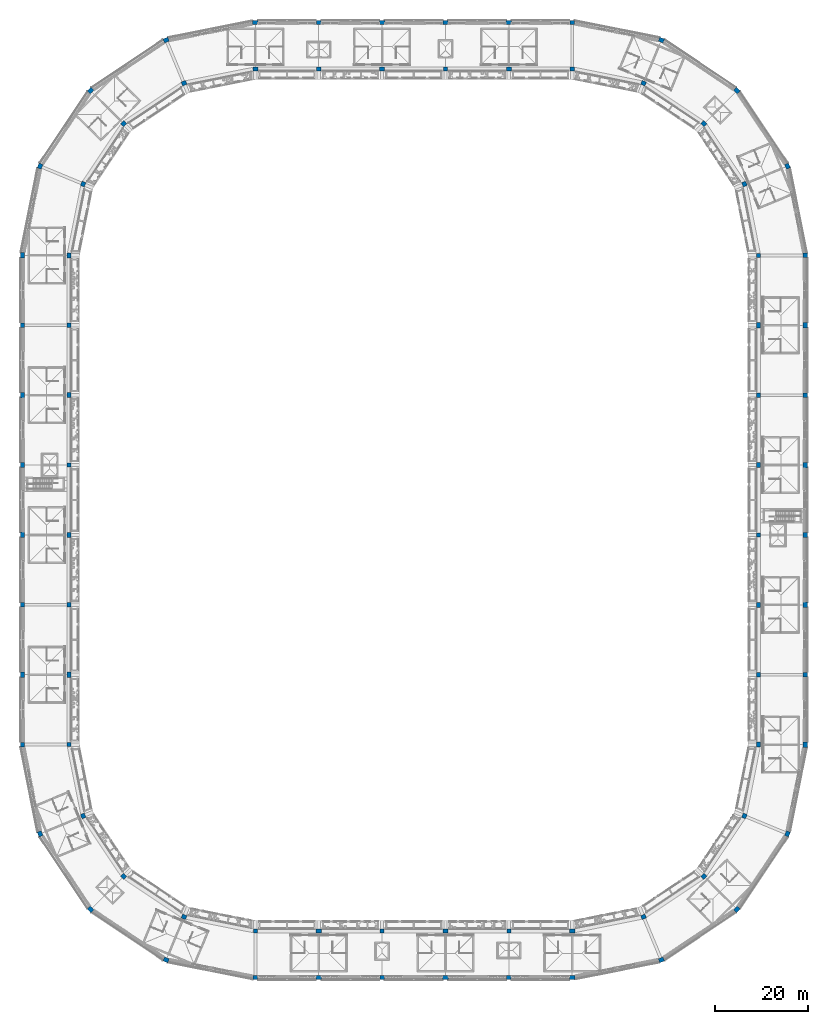
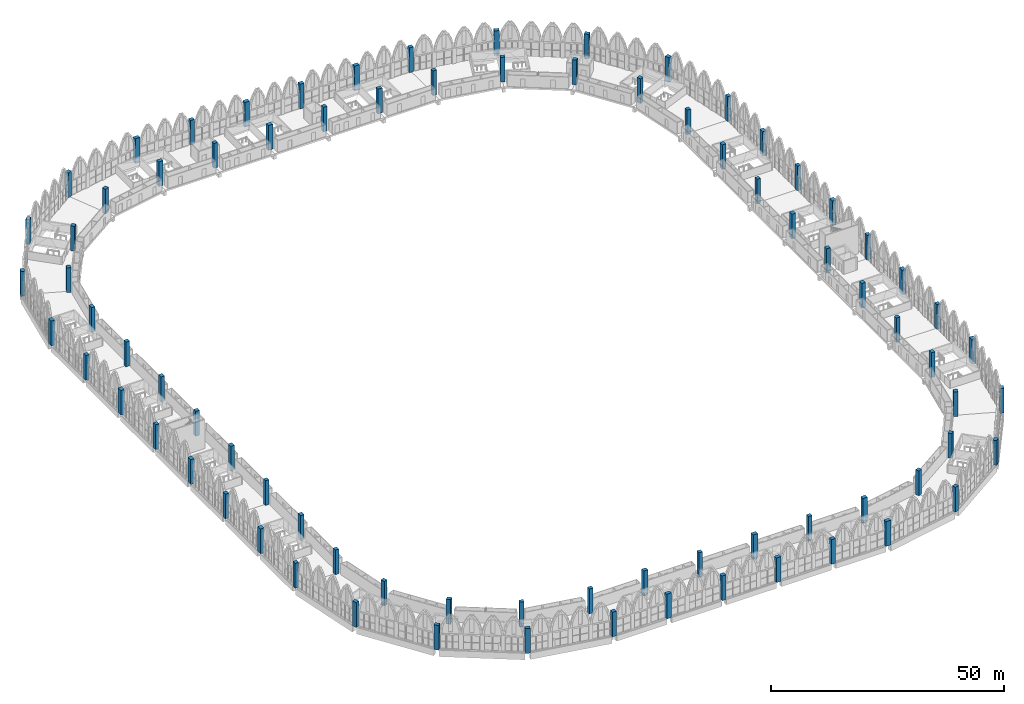
# One storey, part 1 of 130: 80 columns.
"""IFC4 building model written with IfcOpenShell, lengths in metres."""

from ifc_helpers import new_model, si_unit, direction, frame, origin, origin_2d, place, context, subcontext, project, spatial, rectangle, extrude, material, material_profile, profile_set, type_object, element, save


model = new_model("IFC4")

# Units and contexts
model_context = context("Model", 3, precision=1e-05, world=origin(), true_north=direction((0.0, 1.0)))
body_context = subcontext(model_context, "Body", "Model", "MODEL_VIEW")
ifc_project = project(units=[si_unit("LENGTHUNIT", "METRE"), si_unit("AREAUNIT", "SQUARE_METRE"), si_unit("VOLUMEUNIT", "CUBIC_METRE"), si_unit("PLANEANGLEUNIT", "RADIAN"), si_unit("MASSUNIT", "GRAM", prefix="KILO")], contexts=[model_context])

# Site, building, storey
site_placement = place(None, origin())
site = spatial("IfcSite", under=ifc_project, at=site_placement, CompositionType="ELEMENT")
building_placement = place(site_placement, origin())
building = spatial("IfcBuilding", under=site, at=building_placement, Name="Ogive Plaza Stadium", CompositionType="ELEMENT")
storey_placement = place(building_placement, frame((0.0, 0.0, 22.5)))
storey = spatial("IfcBuildingStorey", under=building, at=storey_placement, Name="L05", CompositionType="ELEMENT", Elevation=22.5)

# Columns
ifc_material_1 = material(Name="Concrete C40/50", Category="concrete")
ifc_material_profile_1 = material_profile(ifc_material_1, rectangle(XDim=1.10009765625, YDim=0.89990234375, at=origin_2d()), Name="RC 1100x900")
ifc_profile_set_1 = profile_set([ifc_material_profile_1], Name="Concrete C40/50")
column_type_1 = type_object("IfcColumnType", Name="RC column F4 core 1100x900", PredefinedType="COLUMN", material=ifc_profile_set_1)
for number, where, z_axis, x_axis, name in (
    (1, (74.0, 37.5, 0.0), (0.0, 0.0, 1.0), (0.0, 1.0, 0.0), "Column F4 R02 L05"),
    (2, (74.0, 7.5, 0.0), (0.0, 0.0, 1.0), (0.0, 1.0, 0.0), "Column F4 R04 L05"),
    (3, (74.0, -22.5, 0.0), (0.0, 0.0, 1.0), (0.0, 1.0, 0.0), "Column F4 R06 L05"),
    (4, (74.0, -52.5, 0.0), (0.0, 0.0, 1.0), (0.0, 1.0, 0.0), "Column F4 R08 L05"),
    (5, (34.0, -92.5, 0.0), (0.0, 0.0, 1.0), (1.0, 0.0, 0.0), "Column F4 R12 L05"),
    (6, (6.800048828125, -92.5, 0.0), (0.0, 0.0, 1.0), (1.0, 0.0, 0.0), "Column F4 R14 L05"),
    (7, (-20.39990234375, -92.5, 0.0), (0.0, 0.0, 1.0), (1.0, 0.0, 0.0), "Column F4 R16 L05"),
    (8, (-74.0, -37.5, 0.0), (0.0, 0.0, 1.0), (0.0, -1.0, 0.0), "Column F4 R22 L05"),
    (9, (-74.0, -7.5, 0.0), (0.0, 0.0, 1.0), (0.0, -1.0, 0.0), "Column F4 R24 L05"),
    (10, (-74.0, 22.5, 0.0), (0.0, 0.0, 1.0), (0.0, -1.0, 0.0), "Column F4 R26 L05"),
    (11, (-74.0, 52.5, 0.0), (0.0, 0.0, 1.0), (0.0, -1.0, 0.0), "Column F4 R28 L05"),
    (12, (-34.0, 92.5, 0.0), (0.0, 0.0, 1.0), (-1.0, 0.0, 0.0), "Column F4 R32 L05"),
    (13, (-6.800048828125, 92.5, 0.0), (0.0, 0.0, 1.0), (-1.0, 0.0, 0.0), "Column F4 R34 L05"),
    (14, (20.39990234375, 92.5, 0.0), (0.0, 0.0, 1.0), (-1.0, 0.0, 0.0), "Column F4 R36 L05"),
):
    element("IfcColumn", number, at=place(storey_placement, frame(where, z_axis=z_axis, x_axis=x_axis)), inside=storey, type_object=column_type_1, Name=name, PredefinedType="COLUMN", context=body_context, shape_type="SweptSolid", body=[
        extrude(rectangle(XDim=1.10009765625, YDim=0.89990234375, at=origin_2d()), origin(), (0.0, 0.0, 1.0), 6.5),
    ])
ifc_material_2 = material(Name="Concrete C40/50", Category="concrete")
ifc_material_profile_2 = material_profile(ifc_material_2, rectangle(XDim=1.0, YDim=0.89990234375, at=origin_2d()), Name="RC 1000x900")
ifc_profile_set_2 = profile_set([ifc_material_profile_2], Name="Concrete C40/50")
column_type_2 = type_object("IfcColumnType", Name="RC column F4 corner 1000x900", PredefinedType="COLUMN", material=ifc_profile_set_2)
for number, where, z_axis, x_axis, name in (
    (15, (70.955078125, -67.807373046875, 0.0), (0.0, 0.0, 1.0), (0.382683432365, 0.923879532511, 0.0), "Column F4 R09 L05"),
    (16, (62.2841796875, -80.7841796875, 0.0), (0.0, 0.0, 1.0), (0.707106781187, 0.707106781187, 0.0), "Column F4 R10 L05"),
    (17, (49.307373046875, -89.455078125, 0.0), (0.0, 0.0, 1.0), (0.923879532511, 0.382683432365, 0.0), "Column F4 R11 L05"),
    (18, (-49.307373046875, -89.455078125, 0.0), (0.0, 0.0, 1.0), (0.923879532511, -0.382683432365, 0.0), "Column F4 R18 L05"),
    (19, (-62.2841796875, -80.7841796875, 0.0), (0.0, 0.0, 1.0), (0.707106781187, -0.707106781187, 0.0), "Column F4 R19 L05"),
    (20, (-70.955078125, -67.807373046875, 0.0), (0.0, 0.0, 1.0), (0.382683432365, -0.923879532511, 0.0), "Column F4 R20 L05"),
    (21, (-70.955078125, 67.807373046875, 0.0), (0.0, 0.0, 1.0), (-0.382683432365, -0.923879532511, 0.0), "Column F4 R29 L05"),
    (22, (-62.2841796875, 80.7841796875, 0.0), (0.0, 0.0, 1.0), (-0.707106781187, -0.707106781187, 0.0), "Column F4 R30 L05"),
    (23, (-49.307373046875, 89.455078125, 0.0), (0.0, 0.0, 1.0), (-0.923879532511, -0.382683432365, 0.0), "Column F4 R31 L05"),
    (24, (49.307373046875, 89.455078125, 0.0), (0.0, 0.0, 1.0), (-0.923879532511, 0.382683432365, 0.0), "Column F4 R38 L05"),
    (25, (62.2841796875, 80.7841796875, 0.0), (0.0, 0.0, 1.0), (-0.707106781187, 0.707106781187, 0.0), "Column F4 R39 L05"),
    (26, (70.955078125, 67.807373046875, 0.0), (0.0, 0.0, 1.0), (-0.382683432365, 0.923879532511, 0.0), "Column F4 R40 L05"),
):
    element("IfcColumn", number, at=place(storey_placement, frame(where, z_axis=z_axis, x_axis=x_axis)), inside=storey, type_object=column_type_2, Name=name, PredefinedType="COLUMN", context=body_context, shape_type="SweptSolid", body=[
        extrude(rectangle(XDim=1.0, YDim=0.89990234375, at=origin_2d()), origin(), (0.0, 0.0, 1.0), 6.5),
    ])
ifc_material_3 = material(Name="Concrete C40/50", Category="concrete")
ifc_material_profile_3 = material_profile(ifc_material_3, rectangle(XDim=0.89990234375, YDim=0.89990234375, at=origin_2d()), Name="RC 900x900")
ifc_profile_set_3 = profile_set([ifc_material_profile_3], Name="Concrete C40/50")
column_type_3 = type_object("IfcColumnType", Name="RC column F4 typical 900x900", PredefinedType="COLUMN", material=ifc_profile_set_3)
for number, where, z_axis, x_axis, name in (
    (27, (74.0, 52.5, 0.0), (0.0, 0.0, 1.0), (0.0, 1.0, 0.0), "Column F4 R01 L05"),
    (28, (74.0, 22.5, 0.0), (0.0, 0.0, 1.0), (0.0, 1.0, 0.0), "Column F4 R03 L05"),
    (29, (74.0, -7.5, 0.0), (0.0, 0.0, 1.0), (0.0, 1.0, 0.0), "Column F4 R05 L05"),
    (30, (74.0, -37.5, 0.0), (0.0, 0.0, 1.0), (0.0, 1.0, 0.0), "Column F4 R07 L05"),
    (31, (20.39990234375, -92.5, 0.0), (0.0, 0.0, 1.0), (1.0, 0.0, 0.0), "Column F4 R13 L05"),
    (32, (-6.800048828125, -92.5, 0.0), (0.0, 0.0, 1.0), (1.0, 0.0, 0.0), "Column F4 R15 L05"),
    (33, (-34.0, -92.5, 0.0), (0.0, 0.0, 1.0), (1.0, 0.0, 0.0), "Column F4 R17 L05"),
    (34, (-74.0, -52.5, 0.0), (0.0, 0.0, 1.0), (0.0, -1.0, 0.0), "Column F4 R21 L05"),
    (35, (-74.0, -22.5, 0.0), (0.0, 0.0, 1.0), (0.0, -1.0, 0.0), "Column F4 R23 L05"),
    (36, (-74.0, 7.5, 0.0), (0.0, 0.0, 1.0), (0.0, -1.0, 0.0), "Column F4 R25 L05"),
    (37, (-74.0, 37.5, 0.0), (0.0, 0.0, 1.0), (0.0, -1.0, 0.0), "Column F4 R27 L05"),
    (38, (-20.39990234375, 92.5, 0.0), (0.0, 0.0, 1.0), (-1.0, 0.0, 0.0), "Column F4 R33 L05"),
    (39, (6.800048828125, 92.5, 0.0), (0.0, 0.0, 1.0), (-1.0, 0.0, 0.0), "Column F4 R35 L05"),
    (40, (34.0, 92.5, 0.0), (0.0, 0.0, 1.0), (-1.0, 0.0, 0.0), "Column F4 R37 L05"),
):
    element("IfcColumn", number, at=place(storey_placement, frame(where, z_axis=z_axis, x_axis=x_axis)), inside=storey, type_object=column_type_3, Name=name, PredefinedType="COLUMN", context=body_context, shape_type="SweptSolid", body=[
        extrude(rectangle(XDim=0.89990234375, YDim=0.89990234375, at=origin_2d()), origin(), (0.0, 0.0, 1.0), 6.5),
    ])
ifc_material_4 = material(Name="Concrete C40/50", Category="concrete")
ifc_material_profile_4 = material_profile(ifc_material_4, rectangle(XDim=1.199951171875, YDim=0.89990234375, at=origin_2d()), Name="RC 1200x900")
ifc_profile_set_4 = profile_set([ifc_material_profile_4], Name="Concrete C40/50")
column_type_4 = type_object("IfcColumnType", Name="RC column F5 core 1200x900", PredefinedType="COLUMN", material=ifc_profile_set_4)
for number, where, z_axis, x_axis, name in (
    (41, (84.0, 37.5, 0.0), (0.0, 0.0, 1.0), (0.0, 1.0, 0.0), "Column F5 R02 L05"),
    (42, (84.0, 7.5, 0.0), (0.0, 0.0, 1.0), (0.0, 1.0, 0.0), "Column F5 R04 L05"),
    (43, (84.0, -22.5, 0.0), (0.0, 0.0, 1.0), (0.0, 1.0, 0.0), "Column F5 R06 L05"),
    (44, (84.0, -52.5, 0.0), (0.0, 0.0, 1.0), (0.0, 1.0, 0.0), "Column F5 R08 L05"),
    (45, (34.0, -102.5, 0.0), (0.0, 0.0, 1.0), (1.0, 0.0, 0.0), "Column F5 R12 L05"),
    (46, (6.800048828125, -102.5, 0.0), (0.0, 0.0, 1.0), (1.0, 0.0, 0.0), "Column F5 R14 L05"),
    (47, (-20.39990234375, -102.5, 0.0), (0.0, 0.0, 1.0), (1.0, 0.0, 0.0), "Column F5 R16 L05"),
    (48, (-84.0, -37.5, 0.0), (0.0, 0.0, 1.0), (0.0, -1.0, 0.0), "Column F5 R22 L05"),
    (49, (-84.0, -7.5, 0.0), (0.0, 0.0, 1.0), (0.0, -1.0, 0.0), "Column F5 R24 L05"),
    (50, (-84.0, 22.5, 0.0), (0.0, 0.0, 1.0), (0.0, -1.0, 0.0), "Column F5 R26 L05"),
    (51, (-84.0, 52.5, 0.0), (0.0, 0.0, 1.0), (0.0, -1.0, 0.0), "Column F5 R28 L05"),
    (52, (-34.0, 102.5, 0.0), (0.0, 0.0, 1.0), (-1.0, 0.0, 0.0), "Column F5 R32 L05"),
    (53, (-6.800048828125, 102.5, 0.0), (0.0, 0.0, 1.0), (-1.0, 0.0, 0.0), "Column F5 R34 L05"),
    (54, (20.39990234375, 102.5, 0.0), (0.0, 0.0, 1.0), (-1.0, 0.0, 0.0), "Column F5 R36 L05"),
):
    element("IfcColumn", number, at=place(storey_placement, frame(where, z_axis=z_axis, x_axis=x_axis)), inside=storey, type_object=column_type_4, Name=name, PredefinedType="COLUMN", context=body_context, shape_type="SweptSolid", body=[
        extrude(rectangle(XDim=1.199951171875, YDim=0.89990234375, at=origin_2d()), origin(), (0.0, 0.0, 1.0), 6.5),
    ])
ifc_material_5 = material(Name="Concrete C40/50", Category="concrete")
ifc_material_profile_5 = material_profile(ifc_material_5, rectangle(XDim=1.10009765625, YDim=0.89990234375, at=origin_2d()), Name="RC 1100x900")
ifc_profile_set_5 = profile_set([ifc_material_profile_5], Name="Concrete C40/50")
column_type_5 = type_object("IfcColumnType", Name="RC column F5 corner 1100x900", PredefinedType="COLUMN", material=ifc_profile_set_5)
for number, where, z_axis, x_axis, name in (
    (55, (80.194091796875, -71.63427734375, 0.0), (0.0, 0.0, 1.0), (0.382683432365, 0.923879532511, 0.0), "Column F5 R09 L05"),
    (56, (69.355224609375, -87.855224609375, 0.0), (0.0, 0.0, 1.0), (0.707106781187, 0.707106781187, 0.0), "Column F5 R10 L05"),
    (57, (53.13427734375, -98.694091796875, 0.0), (0.0, 0.0, 1.0), (0.923879532511, 0.382683432365, 0.0), "Column F5 R11 L05"),
    (58, (-53.13427734375, -98.694091796875, 0.0), (0.0, 0.0, 1.0), (0.923879532511, -0.382683432365, 0.0), "Column F5 R18 L05"),
    (59, (-69.355224609375, -87.855224609375, 0.0), (0.0, 0.0, 1.0), (0.707106781187, -0.707106781187, 0.0), "Column F5 R19 L05"),
    (60, (-80.194091796875, -71.63427734375, 0.0), (0.0, 0.0, 1.0), (0.382683432365, -0.923879532511, 0.0), "Column F5 R20 L05"),
    (61, (-80.194091796875, 71.63427734375, 0.0), (0.0, 0.0, 1.0), (-0.382683432365, -0.923879532511, 0.0), "Column F5 R29 L05"),
    (62, (-69.355224609375, 87.855224609375, 0.0), (0.0, 0.0, 1.0), (-0.707106781187, -0.707106781187, 0.0), "Column F5 R30 L05"),
    (63, (-53.13427734375, 98.694091796875, 0.0), (0.0, 0.0, 1.0), (-0.923879532511, -0.382683432365, 0.0), "Column F5 R31 L05"),
    (64, (53.13427734375, 98.694091796875, 0.0), (0.0, 0.0, 1.0), (-0.923879532511, 0.382683432365, 0.0), "Column F5 R38 L05"),
    (65, (69.355224609375, 87.855224609375, 0.0), (0.0, 0.0, 1.0), (-0.707106781187, 0.707106781187, 0.0), "Column F5 R39 L05"),
    (66, (80.194091796875, 71.63427734375, 0.0), (0.0, 0.0, 1.0), (-0.382683432365, 0.923879532511, 0.0), "Column F5 R40 L05"),
):
    element("IfcColumn", number, at=place(storey_placement, frame(where, z_axis=z_axis, x_axis=x_axis)), inside=storey, type_object=column_type_5, Name=name, PredefinedType="COLUMN", context=body_context, shape_type="SweptSolid", body=[
        extrude(rectangle(XDim=1.10009765625, YDim=0.89990234375, at=origin_2d()), origin(), (0.0, 0.0, 1.0), 6.5),
    ])
ifc_material_6 = material(Name="Concrete C40/50", Category="concrete")
ifc_material_profile_6 = material_profile(ifc_material_6, rectangle(XDim=1.0, YDim=0.89990234375, at=origin_2d()), Name="RC 1000x900")
ifc_profile_set_6 = profile_set([ifc_material_profile_6], Name="Concrete C40/50")
column_type_6 = type_object("IfcColumnType", Name="RC column F5 typical 1000x900", PredefinedType="COLUMN", material=ifc_profile_set_6)
for number, where, z_axis, x_axis, name in (
    (67, (84.0, 52.5, 0.0), (0.0, 0.0, 1.0), (0.0, 1.0, 0.0), "Column F5 R01 L05"),
    (68, (84.0, 22.5, 0.0), (0.0, 0.0, 1.0), (0.0, 1.0, 0.0), "Column F5 R03 L05"),
    (69, (84.0, -7.5, 0.0), (0.0, 0.0, 1.0), (0.0, 1.0, 0.0), "Column F5 R05 L05"),
    (70, (84.0, -37.5, 0.0), (0.0, 0.0, 1.0), (0.0, 1.0, 0.0), "Column F5 R07 L05"),
    (71, (20.39990234375, -102.5, 0.0), (0.0, 0.0, 1.0), (1.0, 0.0, 0.0), "Column F5 R13 L05"),
    (72, (-6.800048828125, -102.5, 0.0), (0.0, 0.0, 1.0), (1.0, 0.0, 0.0), "Column F5 R15 L05"),
    (73, (-34.0, -102.5, 0.0), (0.0, 0.0, 1.0), (1.0, 0.0, 0.0), "Column F5 R17 L05"),
    (74, (-84.0, -52.5, 0.0), (0.0, 0.0, 1.0), (0.0, -1.0, 0.0), "Column F5 R21 L05"),
    (75, (-84.0, -22.5, 0.0), (0.0, 0.0, 1.0), (0.0, -1.0, 0.0), "Column F5 R23 L05"),
    (76, (-84.0, 7.5, 0.0), (0.0, 0.0, 1.0), (0.0, -1.0, 0.0), "Column F5 R25 L05"),
    (77, (-84.0, 37.5, 0.0), (0.0, 0.0, 1.0), (0.0, -1.0, 0.0), "Column F5 R27 L05"),
    (78, (-20.39990234375, 102.5, 0.0), (0.0, 0.0, 1.0), (-1.0, 0.0, 0.0), "Column F5 R33 L05"),
    (79, (6.800048828125, 102.5, 0.0), (0.0, 0.0, 1.0), (-1.0, 0.0, 0.0), "Column F5 R35 L05"),
    (80, (34.0, 102.5, 0.0), (0.0, 0.0, 1.0), (-1.0, 0.0, 0.0), "Column F5 R37 L05"),
):
    element("IfcColumn", number, at=place(storey_placement, frame(where, z_axis=z_axis, x_axis=x_axis)), inside=storey, type_object=column_type_6, Name=name, PredefinedType="COLUMN", context=body_context, shape_type="SweptSolid", body=[
        extrude(rectangle(XDim=1.0, YDim=0.89990234375, at=origin_2d()), origin(), (0.0, 0.0, 1.0), 6.5),
    ])

save(model, "model.ifc")
